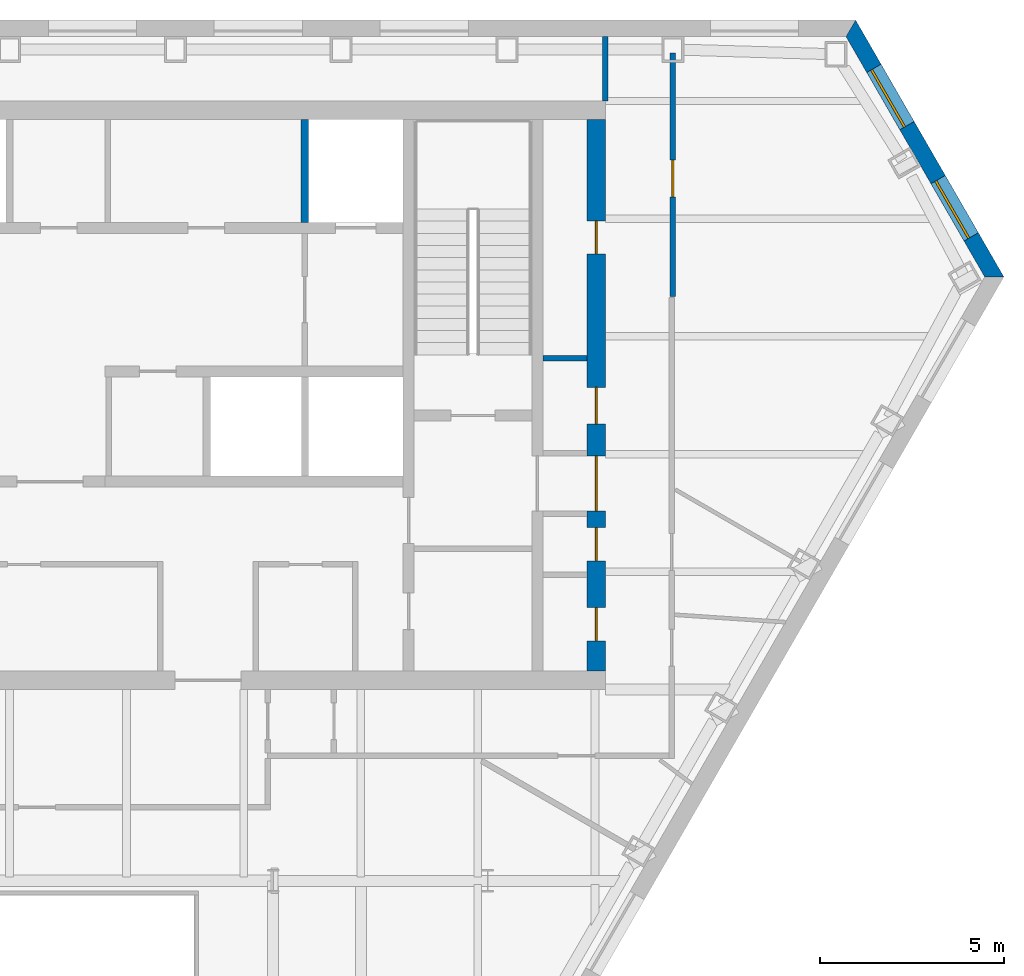
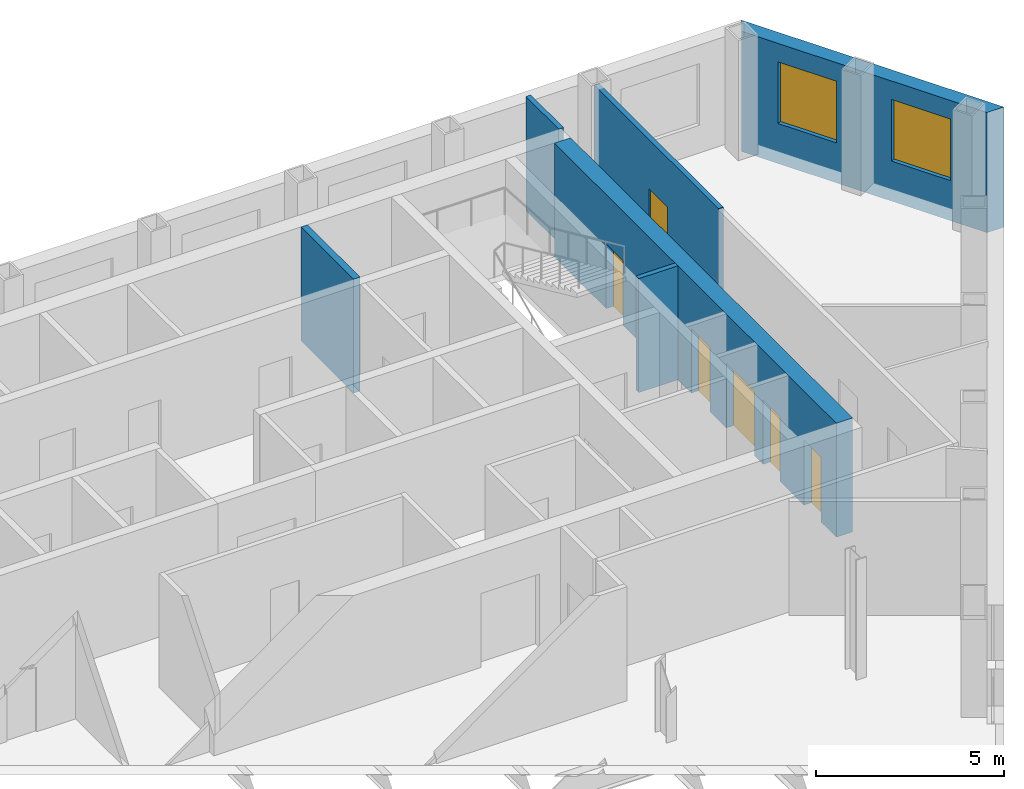
# One storey, part 8 of 11: 6 doors, 6 walls, 2 windows, 8 openings.
"""IFC4 building model written with IfcOpenShell, lengths in metres."""

from ifc_helpers import new_model, si_unit, direction, frame, frame_2d, origin, place, context, subcontext, project, spatial, polyline, rectangle, outline, extrude, material, layer, layer_set, type_object, element, fill, save


model = new_model("IFC4")

# Units and contexts
model_context = context("Model", 3, precision=1e-05, world=origin(), true_north=direction((0.0, 1.0)))
body_context = subcontext(model_context, "Body", "Model", "MODEL_VIEW")
ifc_project = project(units=[si_unit("LENGTHUNIT", "METRE"), si_unit("AREAUNIT", "SQUARE_METRE"), si_unit("VOLUMEUNIT", "CUBIC_METRE"), si_unit("PLANEANGLEUNIT", "RADIAN"), si_unit("MASSUNIT", "GRAM", prefix="KILO")], contexts=[model_context])

# Site, building, storey
site_placement = place(None, origin())
site = spatial("IfcSite", under=ifc_project, at=site_placement, CompositionType="ELEMENT")
building_placement = place(site_placement, origin())
building = spatial("IfcBuilding", under=site, at=building_placement, Name="Njiva Tower", CompositionType="ELEMENT")
storey_placement = place(building_placement, frame((0.0, 0.0, 174.9)))
storey = spatial("IfcBuildingStorey", under=building, at=storey_placement, Name="L38", CompositionType="ELEMENT", Elevation=174.9)

# Wall
ifc_material_1 = material(Name="Blockwork", Category="masonry")
ifc_layer_1 = layer(ifc_material_1, 0.15)
ifc_layer_set_1 = layer_set([ifc_layer_1], Name="Blockwork")
wall_type_1 = type_object("IfcWallType", Name="WT1 Compartment partition 150", PredefinedType="PARTITIONING", material=ifc_layer_set_1)
wall_1_placement = place(storey_placement, frame((14.5, 11.0067, 0.0), z_axis=(0.0, 0.0, 1.0), x_axis=(1.0, 0.0, 0.0)))
element("IfcWall", 1, at=wall_1_placement, inside=storey, type_object=wall_type_1, Name="Partition strip E10", PredefinedType="PARTITIONING", context=body_context, shape_type="SweptSolid", body=[
    extrude(rectangle(XDim=1.2, YDim=0.15, at=frame_2d((0.6, 0.0))), origin(), (0.0, 0.0, 1.0), 3.7),
])

# Wall, openings, doors
ifc_material_2 = material(Name="Concrete C60/75", Category="concrete")
ifc_layer_2 = layer(ifc_material_2, 0.5)
ifc_layer_set_2 = layer_set([ifc_layer_2], Name="Concrete C60/75")
wall_type_2 = type_object("IfcWallType", Name="WT13 Core wall 500", PredefinedType="SHEAR", material=ifc_layer_set_2)
wall_2_placement = place(storey_placement, frame((15.95, 2.5, 0.0), z_axis=(0.0, 0.0, 1.0), x_axis=(0.0, 1.0, 0.0)))
wall_2 = element("IfcWall", 2, at=wall_2_placement, inside=storey, type_object=wall_type_2, Name="Core wall east", PredefinedType="SHEAR", context=body_context, shape_type="SweptSolid", body=[
    extrude(rectangle(XDim=15.0, YDim=0.5, at=frame_2d((7.5, 0.0))), origin(), (0.0, 0.0, 1.0), 3.7),
])
opening_1_placement = place(wall_2_placement, frame((4.35, 0.0, 0.0)))
opening_1 = element("IfcOpeningElement", 3, at=opening_1_placement, cuts=wall_2, Name="Opening S13-D928", PredefinedType="OPENING", context=body_context, shape_type="SweptSolid", body=[
    extrude(rectangle(XDim=1.5, YDim=2.1, at=frame_2d((0.75, 1.05))), frame((0.0, 0.26, 0.0), z_axis=(0.0, -1.0, 0.0), x_axis=(1.0, 0.0, 0.0)), (0.0, 0.0, 1.0), 0.52),
])
opening_2_placement = place(wall_2_placement, frame((0.825, 0.0, 0.0)))
opening_2 = element("IfcOpeningElement", 4, at=opening_2_placement, cuts=wall_2, Name="Opening S13-D929", PredefinedType="OPENING", context=body_context, shape_type="SweptSolid", body=[
    extrude(rectangle(XDim=0.9, YDim=2.1, at=frame_2d((0.45, 1.05))), frame((0.0, 0.26, 0.0), z_axis=(0.0, -1.0, 0.0), x_axis=(1.0, 0.0, 0.0)), (0.0, 0.0, 1.0), 0.52),
])
opening_3_placement = place(wall_2_placement, frame((3.0, 0.0, 0.0)))
opening_3 = element("IfcOpeningElement", 5, at=opening_3_placement, cuts=wall_2, Name="Opening S13-D930", PredefinedType="OPENING", context=body_context, shape_type="SweptSolid", body=[
    extrude(rectangle(XDim=0.9, YDim=2.1, at=frame_2d((0.45, 1.05))), frame((0.0, 0.26, 0.0), z_axis=(0.0, -1.0, 0.0), x_axis=(1.0, 0.0, 0.0)), (0.0, 0.0, 1.0), 0.52),
])
opening_4_placement = place(wall_2_placement, frame((6.7158, 0.0, 0.0)))
opening_4 = element("IfcOpeningElement", 6, at=opening_4_placement, cuts=wall_2, Name="Opening S13-D931", PredefinedType="OPENING", context=body_context, shape_type="SweptSolid", body=[
    extrude(rectangle(XDim=1.0, YDim=2.1, at=frame_2d((0.5, 1.05))), frame((0.0, 0.26, 0.0), z_axis=(0.0, -1.0, 0.0), x_axis=(1.0, 0.0, 0.0)), (0.0, 0.0, 1.0), 0.52),
])
opening_5_placement = place(wall_2_placement, frame((11.3408, 0.0, 0.0)))
opening_5 = element("IfcOpeningElement", 7, at=opening_5_placement, cuts=wall_2, Name="Opening S13-D932", PredefinedType="OPENING", context=body_context, shape_type="SweptSolid", body=[
    extrude(rectangle(XDim=0.9, YDim=2.1, at=frame_2d((0.45, 1.05))), frame((0.0, 0.26, 0.0), z_axis=(0.0, -1.0, 0.0), x_axis=(1.0, 0.0, 0.0)), (0.0, 0.0, 1.0), 0.52),
])
ifc_material_3 = material(Name="Glazed steel fire door", Category="steel")
door_type_1 = type_object("IfcDoorType", Name="D10 Exit door double 1500x2100 glazed", OperationType="DOUBLE_DOOR_SINGLE_SWING", PredefinedType="DOOR", material=ifc_material_3)
door_1_placement = place(opening_1_placement, origin())
door_1 = element("IfcDoor", 8, at=door_1_placement, inside=storey, type_object=door_type_1, Name="Stair B corridor door", OperationType="DOUBLE_DOOR_SINGLE_SWING", OverallHeight=2.1, OverallWidth=1.5, PredefinedType="DOOR", context=body_context, shape_type="SweptSolid", body=[
    extrude(rectangle(XDim=1.5, YDim=2.1, at=frame_2d((0.75, 1.05))), frame((0.0, 0.025, 0.0), z_axis=(0.0, -1.0, 0.0), x_axis=(1.0, 0.0, 0.0)), (0.0, 0.0, 1.0), 0.05),
])
fill(opening_1, door_1)
ifc_material_4 = material(Name="Steel door, painted", Category="steel")
door_type_2 = type_object("IfcDoorType", Name="D4 Riser door 900x2100", OperationType="SINGLE_SWING_LEFT", PredefinedType="DOOR", material=ifc_material_4)
door_2_placement = place(opening_3_placement, origin())
door_2 = element("IfcDoor", 9, at=door_2_placement, inside=storey, type_object=door_type_2, Name="Cable riser door", OperationType="SINGLE_SWING_LEFT", OverallHeight=2.1, OverallWidth=0.9, PredefinedType="DOOR", context=body_context, shape_type="SweptSolid", body=[
    extrude(rectangle(XDim=0.9, YDim=2.1, at=frame_2d((0.45, 1.05))), frame((0.0, 0.025, 0.0), z_axis=(0.0, -1.0, 0.0), x_axis=(1.0, 0.0, 0.0)), (0.0, 0.0, 1.0), 0.05),
])
fill(opening_3, door_2)
door_type_3 = type_object("IfcDoorType", Name="D5 Steel door 1000x2100", OperationType="SINGLE_SWING_LEFT", PredefinedType="DOOR", material=ifc_material_4)
door_3_placement = place(opening_4_placement, origin())
door_3 = element("IfcDoor", 10, at=door_3_placement, inside=storey, type_object=door_type_3, Name="Telecoms room door", OperationType="SINGLE_SWING_LEFT", OverallHeight=2.1, OverallWidth=1.0, PredefinedType="DOOR", context=body_context, shape_type="SweptSolid", body=[
    extrude(rectangle(XDim=1.0, YDim=2.1, at=frame_2d((0.5, 1.05))), frame((0.0, 0.025, 0.0), z_axis=(0.0, -1.0, 0.0), x_axis=(1.0, 0.0, 0.0)), (0.0, 0.0, 1.0), 0.05),
])
fill(opening_4, door_3)
ifc_material_5 = material(Name="Steel fire door, painted", Category="steel")
door_type_4 = type_object("IfcDoorType", Name="D6 Fire-rated door 900x2100", OperationType="SINGLE_SWING_LEFT", PredefinedType="DOOR", material=ifc_material_5)
door_4_placement = place(opening_2_placement, origin())
door_4 = element("IfcDoor", 11, at=door_4_placement, inside=storey, type_object=door_type_4, Name="Cable store door", OperationType="SINGLE_SWING_LEFT", OverallHeight=2.1, OverallWidth=0.9, PredefinedType="DOOR", context=body_context, shape_type="SweptSolid", body=[
    extrude(rectangle(XDim=0.9, YDim=2.1, at=frame_2d((0.45, 1.05))), frame((0.0, 0.025, 0.0), z_axis=(0.0, -1.0, 0.0), x_axis=(1.0, 0.0, 0.0)), (0.0, 0.0, 1.0), 0.05),
])
fill(opening_2, door_4)
door_5_placement = place(opening_5_placement, origin())
door_5 = element("IfcDoor", 12, at=door_5_placement, inside=storey, type_object=door_type_4, Name="Cable store door", OperationType="SINGLE_SWING_RIGHT", OverallHeight=2.1, OverallWidth=0.9, PredefinedType="DOOR", context=body_context, shape_type="SweptSolid", body=[
    extrude(rectangle(XDim=0.9, YDim=2.1, at=frame_2d((0.45, 1.05))), frame((0.0, 0.025, 0.0), z_axis=(0.0, -1.0, 0.0), x_axis=(1.0, 0.0, 0.0)), (0.0, 0.0, 1.0), 0.05),
])
fill(opening_5, door_5)

# Wall
ifc_material_6 = material(Name="Gypsum board on steel studs", Category="gypsum")
ifc_layer_3 = layer(ifc_material_6, 0.15)
ifc_layer_set_3 = layer_set([ifc_layer_3], Name="Gypsum board on steel studs")
wall_type_3 = type_object("IfcWallType", Name="WT21 Compartment wall 150", PredefinedType="PARTITIONING", material=ifc_layer_set_3)
wall_3_placement = place(storey_placement, frame((16.2, 18.0, 0.0), z_axis=(0.0, 0.0, 1.0), x_axis=(0.0, 1.0, 0.0)))
element("IfcWall", 13, at=wall_3_placement, inside=storey, type_object=wall_type_3, Name="Partition S13-P025", PredefinedType="PARTITIONING", context=body_context, shape_type="SweptSolid", body=[
    extrude(rectangle(XDim=1.75, YDim=0.15, at=frame_2d((0.875, 0.0))), origin(), (0.0, 0.0, 1.0), 3.7),
])

# Wall, opening, door
wall_4_placement = place(storey_placement, frame((18.035, 12.678, 0.0), z_axis=(0.0, 0.0, 1.0), x_axis=(0.0, 1.0, 0.0)))
wall_4 = element("IfcWall", 14, at=wall_4_placement, inside=storey, type_object=wall_type_3, Name="Partition S13-P028", PredefinedType="PARTITIONING", context=body_context, shape_type="SweptSolid", body=[
    extrude(rectangle(XDim=6.622, YDim=0.15, at=frame_2d((3.311, 0.0))), origin(), (0.0, 0.0, 1.0), 3.7),
])
opening_6_placement = place(wall_4_placement, frame((2.711, 0.0, 0.0)))
opening_6 = element("IfcOpeningElement", 15, at=opening_6_placement, cuts=wall_4, Name="Opening S13-D015", PredefinedType="OPENING", context=body_context, shape_type="SweptSolid", body=[
    extrude(rectangle(XDim=1.0, YDim=2.1, at=frame_2d((0.5, 1.05))), frame((0.0, 0.085, 0.0), z_axis=(0.0, -1.0, 0.0), x_axis=(1.0, 0.0, 0.0)), (0.0, 0.0, 1.0), 0.17),
])
ifc_material_7 = material(Name="Steel fire door set", Category="steel")
door_type_5 = type_object("IfcDoorType", Name="D37 Fire door 1000x2100", OperationType="SINGLE_SWING_LEFT", PredefinedType="DOOR", material=ifc_material_7)
door_6_placement = place(opening_6_placement, origin())
door_6 = element("IfcDoor", 16, at=door_6_placement, inside=storey, type_object=door_type_5, Name="Door S13-D015", OperationType="SINGLE_SWING_LEFT", OverallHeight=2.1, OverallWidth=1.0, PredefinedType="DOOR", context=body_context, shape_type="SweptSolid", body=[
    extrude(rectangle(XDim=1.0, YDim=2.1, at=frame_2d((0.5, 1.05))), frame((0.0, 0.025, 0.0), z_axis=(0.0, -1.0, 0.0), x_axis=(1.0, 0.0, 0.0)), (0.0, 0.0, 1.0), 0.05),
])
fill(opening_6, door_6)

# Wall
ifc_material_8 = material(Name="Concrete C40/50", Category="concrete")
ifc_layer_4 = layer(ifc_material_8, 0.2)
ifc_layer_set_4 = layer_set([ifc_layer_4], Name="Concrete C40/50")
wall_type_4 = type_object("IfcWallType", Name="WT6 Lift shaft wall 200", PredefinedType="SHEAR", material=ifc_layer_set_4)
wall_5_placement = place(storey_placement, frame((8.025, 14.7, 0.0), z_axis=(0.0, 0.0, 1.0), x_axis=(0.0, 1.0, 0.0)))
element("IfcWall", 17, at=wall_5_placement, inside=storey, type_object=wall_type_4, Name="Shaft wall CN7", PredefinedType="SHEAR", context=body_context, shape_type="SweptSolid", body=[
    extrude(rectangle(XDim=2.8, YDim=0.2, at=frame_2d((1.4, 0.0))), origin(), (0.0, 0.0, 1.0), 3.7),
])

# Wall, openings, windows
ifc_material_9 = material(Name="Brick masonry, buff", Category="masonry")
ifc_layer_5 = layer(ifc_material_9, 0.45)
ifc_layer_set_5 = layer_set([ifc_layer_5], Name="Brick masonry, buff")
wall_type_5 = type_object("IfcWallType", Name="WT94 Brick pier and spandrel wall 450, buff", PredefinedType="SOLIDWALL", material=ifc_layer_set_5)
wall_6_placement = place(storey_placement, frame((26.7714, 13.2177, -0.4), z_axis=(0.0, 0.0, 1.0), x_axis=(-0.500003961136, 0.86602311681, 0.0)))
wall_6 = element("IfcWall", 18, at=wall_6_placement, inside=storey, type_object=wall_type_5, Name="Facade wall NE", PredefinedType="SOLIDWALL", context=body_context, shape_type="SweptSolid", body=[
    extrude(outline(polyline([(-0.1299, -0.225), (7.93, -0.225), (7.6702, 0.225), (0.1299, 0.225), (-0.1299, -0.225)])), origin(), (0.0, 0.0, 1.0), 3.9),
])
opening_7_placement = place(wall_6_placement, frame((1.2544, 0.0, 1.3)))
opening_7 = element("IfcOpeningElement", 19, at=opening_7_placement, cuts=wall_6, Name="Opening S13-W32", PredefinedType="OPENING", context=body_context, shape_type="SweptSolid", body=[
    extrude(rectangle(XDim=1.8, YDim=2.0, at=frame_2d((0.9, 1.0))), frame((0.0, 0.235, 0.0), z_axis=(0.0, -1.0, 0.0), x_axis=(1.0, 0.0, 0.0)), (0.0, 0.0, 1.0), 0.47),
])
opening_8_placement = place(wall_6_placement, frame((4.7457, 0.0, 1.3)))
opening_8 = element("IfcOpeningElement", 20, at=opening_8_placement, cuts=wall_6, Name="Opening S13-W33", PredefinedType="OPENING", context=body_context, shape_type="SweptSolid", body=[
    extrude(rectangle(XDim=1.8, YDim=2.0, at=frame_2d((0.9, 1.0))), frame((0.0, 0.235, 0.0), z_axis=(0.0, -1.0, 0.0), x_axis=(1.0, 0.0, 0.0)), (0.0, 0.0, 1.0), 0.47),
])
ifc_material_10 = material(Name="Clear glazing in aluminium frame", Category="aluminium")
window_type = type_object("IfcWindowType", Name="W94 Deep-set window 1800x2000", PartitioningType="SINGLE_PANEL", PredefinedType="WINDOW", material=ifc_material_10)
window_1_placement = place(opening_7_placement, origin())
window_1 = element("IfcWindow", 21, at=window_1_placement, inside=storey, type_object=window_type, Name="Window", OverallHeight=2.0, OverallWidth=1.8, PartitioningType="SINGLE_PANEL", PredefinedType="WINDOW", context=body_context, shape_type="SweptSolid", body=[
    extrude(rectangle(XDim=1.8, YDim=2.0, at=frame_2d((0.9, 1.0))), frame((0.0, 0.105, 0.0), z_axis=(0.0, -1.0, 0.0), x_axis=(1.0, 0.0, 0.0)), (0.0, 0.0, 1.0), 0.06),
])
fill(opening_7, window_1)
window_2_placement = place(opening_8_placement, origin())
window_2 = element("IfcWindow", 22, at=window_2_placement, inside=storey, type_object=window_type, Name="Window", OverallHeight=2.0, OverallWidth=1.8, PartitioningType="SINGLE_PANEL", PredefinedType="WINDOW", context=body_context, shape_type="SweptSolid", body=[
    extrude(rectangle(XDim=1.8, YDim=2.0, at=frame_2d((0.9, 1.0))), frame((0.0, 0.105, 0.0), z_axis=(0.0, -1.0, 0.0), x_axis=(1.0, 0.0, 0.0)), (0.0, 0.0, 1.0), 0.06),
])
fill(opening_8, window_2)

save(model, "model.ifc")
